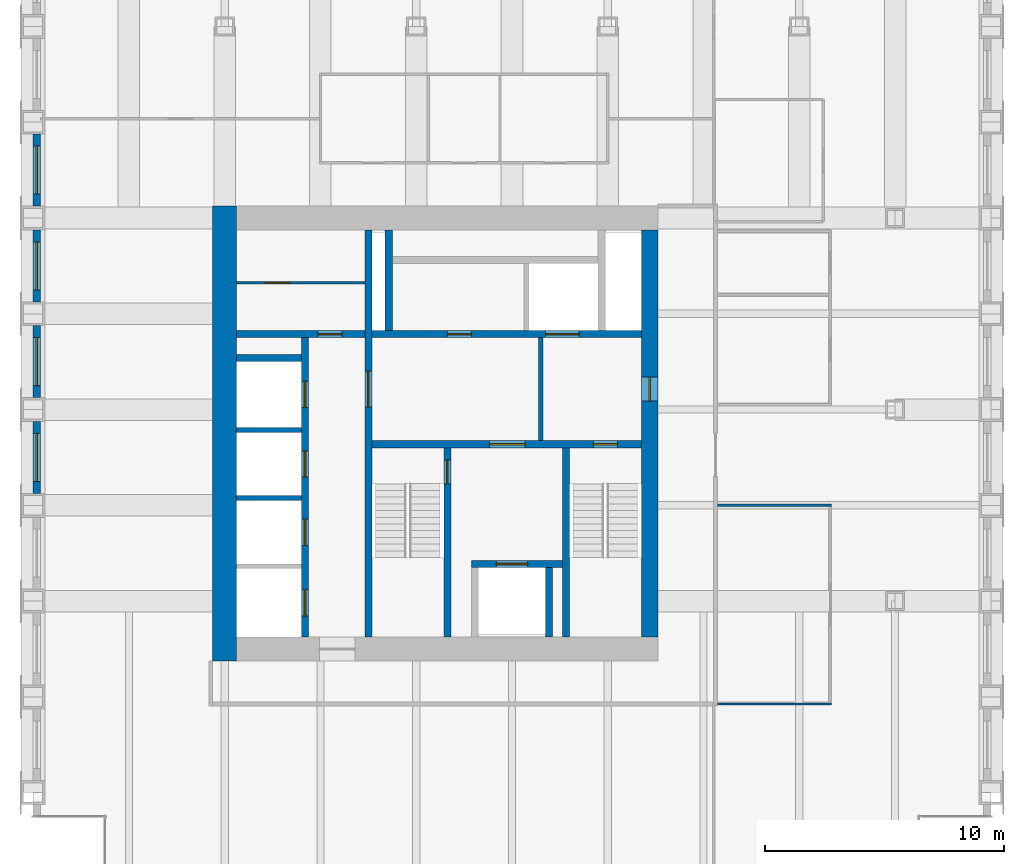
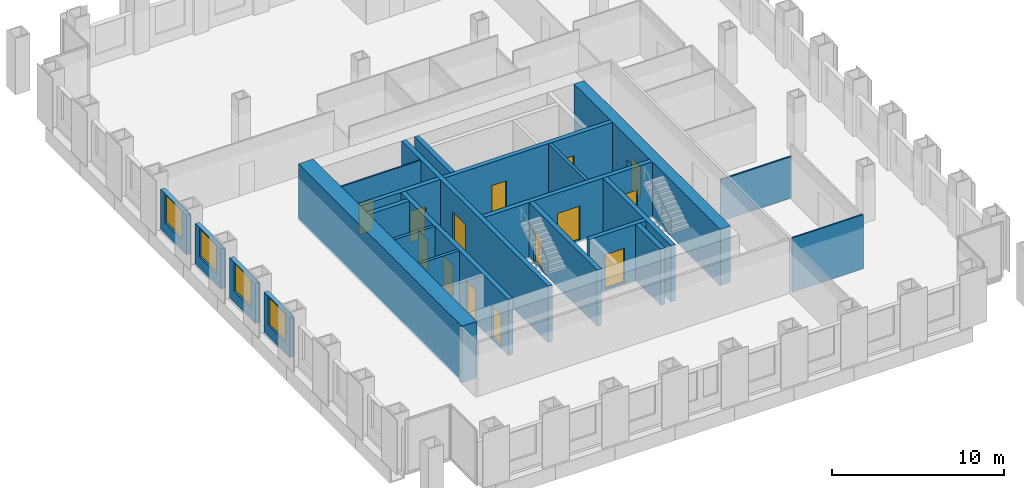
# One storey, part 9 of 13: 23 walls, 14 doors, 4 windows, 18 openings.
"""IFC4 building model written with IfcOpenShell, lengths in metres."""

from ifc_helpers import new_model, si_unit, direction, frame, frame_2d, origin, place, context, subcontext, project, spatial, rectangle, extrude, material, layer, layer_set, type_object, element, fill, save


model = new_model("IFC4")

# Units and contexts
model_context = context("Model", 3, precision=1e-05, world=origin(), true_north=direction((0.0, 1.0)))
body_context = subcontext(model_context, "Body", "Model", "MODEL_VIEW")
ifc_project = project(units=[si_unit("LENGTHUNIT", "METRE"), si_unit("AREAUNIT", "SQUARE_METRE"), si_unit("VOLUMEUNIT", "CUBIC_METRE"), si_unit("PLANEANGLEUNIT", "RADIAN"), si_unit("MASSUNIT", "GRAM", prefix="KILO")], contexts=[model_context])

# Site, building, storey
site_placement = place(None, origin())
site = spatial("IfcSite", under=ifc_project, at=site_placement, CompositionType="ELEMENT")
building_placement = place(site_placement, origin())
building = spatial("IfcBuilding", under=site, at=building_placement, Name="Rimbunsela Tower", CompositionType="ELEMENT")
storey_placement = place(building_placement, frame((0.0, 0.0, 214.199951171875)))
storey = spatial("IfcBuildingStorey", under=building, at=storey_placement, Name="L51", CompositionType="ELEMENT", Elevation=214.199951171875)

# Wall, opening, door
ifc_material_1 = material(Name="Concrete fc' 80 MPa", Category="concrete")
ifc_layer_1 = layer(ifc_material_1, 0.300048828125)
ifc_layer_set_1 = layer_set([ifc_layer_1], Name="Core internal wall 300")
wall_type_1 = type_object("IfcWallType", Name="Core internal wall 300", PredefinedType="SHEAR", material=ifc_layer_set_1)
wall_1_placement = place(storey_placement, frame((24.0, 18.5, -0.14990234375), z_axis=(0.0, 0.0, 1.0), x_axis=(0.0, 1.0, 0.0)))
wall_1 = element("IfcWall", 1, at=wall_1_placement, inside=storey, type_object=wall_type_1, Name="Core wall at stair A", PredefinedType="SHEAR", context=body_context, shape_type="SweptSolid", body=[
    extrude(rectangle(XDim=17.0, YDim=0.300048828125, at=frame_2d((8.5, 0.0))), origin(), (0.0, 0.0, 1.0), 4.0),
])
opening_1_placement = place(wall_1_placement, frame((9.60009765625, 0.0, 0.14990234375)))
opening_1 = element("IfcOpeningElement", 2, at=opening_1_placement, cuts=wall_1, Name="Opening D03", PredefinedType="OPENING", context=body_context, shape_type="SweptSolid", body=[
    extrude(rectangle(XDim=1.5, YDim=2.39990234375, at=frame_2d((0.75, 1.199951171875))), frame((0.0, 0.159912109375, 0.0), z_axis=(0.0, -1.0, 0.0), x_axis=(1.0, 0.0, 0.0)), (0.0, 0.0, 1.0), 0.320068359375),
])
ifc_material_2 = material(Name="Steel door, fire rated", Category="steel")
door_type_1 = type_object("IfcDoorType", Name="Core lobby door 1500", OperationType="DOUBLE_DOOR_DOUBLE_SWING", PredefinedType="DOOR", material=ifc_material_2)
door_1_placement = place(opening_1_placement, origin())
door_1 = element("IfcDoor", 3, at=door_1_placement, inside=storey, type_object=door_type_1, Name="West lobby door", OperationType="DOUBLE_DOOR_DOUBLE_SWING", OverallHeight=2.39990234375, OverallWidth=1.5, PredefinedType="DOOR", context=body_context, shape_type="SweptSolid", body=[
    extrude(rectangle(XDim=1.5, YDim=2.39990234375, at=frame_2d((0.75, 1.199951171875))), frame((0.0, 0.02490234375, 0.0), z_axis=(0.0, -1.0, 0.0), x_axis=(1.0, 0.0, 0.0)), (0.0, 0.0, 1.0), 0.050048828125),
])
fill(opening_1, door_1)

# Wall, openings, doors
wall_2_placement = place(storey_placement, frame((24.14990234375, 26.550048828125, -0.14990234375), z_axis=(0.0, 0.0, 1.0), x_axis=(1.0, 0.0, 0.0)))
wall_2 = element("IfcWall", 4, at=wall_2_placement, inside=storey, type_object=wall_type_1, Name="Core wall lobby south", PredefinedType="SHEAR", context=body_context, shape_type="SweptSolid", body=[
    extrude(rectangle(XDim=11.25, YDim=0.300048828125, at=frame_2d((5.625, 0.0))), origin(), (0.0, 0.0, 1.0), 4.0),
])
opening_2_placement = place(wall_2_placement, frame((9.25, 0.0, 0.14990234375)))
opening_2 = element("IfcOpeningElement", 5, at=opening_2_placement, cuts=wall_2, Name="Opening D01", PredefinedType="OPENING", context=body_context, shape_type="SweptSolid", body=[
    extrude(rectangle(XDim=1.0, YDim=2.199951171875, at=frame_2d((0.5, 1.10009765625))), frame((0.0, 0.159912109375, 0.0), z_axis=(0.0, -1.0, 0.0), x_axis=(1.0, 0.0, 0.0)), (0.0, 0.0, 1.0), 0.320068359375),
])
opening_3_placement = place(wall_2_placement, frame((4.89990234375, 0.0, 0.14990234375)))
opening_3 = element("IfcOpeningElement", 6, at=opening_3_placement, cuts=wall_2, Name="Opening D03", PredefinedType="OPENING", context=body_context, shape_type="SweptSolid", body=[
    extrude(rectangle(XDim=1.5, YDim=2.39990234375, at=frame_2d((0.75, 1.199951171875))), frame((0.0, 0.159912109375, 0.0), z_axis=(0.0, -1.0, 0.0), x_axis=(1.0, 0.0, 0.0)), (0.0, 0.0, 1.0), 0.320068359375),
])
door_2_placement = place(opening_3_placement, origin())
door_2 = element("IfcDoor", 7, at=door_2_placement, inside=storey, type_object=door_type_1, Name="Firefighting lobby door", OperationType="DOUBLE_DOOR_DOUBLE_SWING", OverallHeight=2.39990234375, OverallWidth=1.5, PredefinedType="DOOR", context=body_context, shape_type="SweptSolid", body=[
    extrude(rectangle(XDim=1.5, YDim=2.39990234375, at=frame_2d((0.75, 1.199951171875))), frame((0.0, 0.02490234375, 0.0), z_axis=(0.0, -1.0, 0.0), x_axis=(1.0, 0.0, 0.0)), (0.0, 0.0, 1.0), 0.050048828125),
])
fill(opening_3, door_2)
ifc_material_3 = material(Name="Steel door, fire rated", Category="steel")
door_type_2 = type_object("IfcDoorType", Name="Stair door 1000", OperationType="SINGLE_SWING_RIGHT", PredefinedType="DOOR", material=ifc_material_3)
door_3_placement = place(opening_2_placement, frame((1.0, 0.0, 0.0), z_axis=(0.0, 0.0, 1.0), x_axis=(-1.0, 0.0, 0.0)))
door_3 = element("IfcDoor", 8, at=door_3_placement, inside=storey, type_object=door_type_2, Name="Stair B door", OperationType="SINGLE_SWING_RIGHT", OverallHeight=2.199951171875, OverallWidth=1.0, PredefinedType="DOOR", context=body_context, shape_type="SweptSolid", body=[
    extrude(rectangle(XDim=1.0, YDim=2.199951171875, at=frame_2d((0.5, 1.10009765625))), frame((0.0, 0.02490234375, 0.0), z_axis=(0.0, -1.0, 0.0), x_axis=(1.0, 0.0, 0.0)), (0.0, 0.0, 1.0), 0.050048828125),
])
fill(opening_2, door_3)

# Wall, opening, door
wall_3_placement = place(storey_placement, frame((27.300048828125, 18.5, -0.14990234375), z_axis=(0.0, 0.0, 1.0), x_axis=(0.0, 1.0, 0.0)))
wall_3 = element("IfcWall", 9, at=wall_3_placement, inside=storey, type_object=wall_type_1, Name="Stair A enclosure", PredefinedType="SHEAR", context=body_context, shape_type="SweptSolid", body=[
    extrude(rectangle(XDim=7.89990234375, YDim=0.300048828125, at=frame_2d((3.949951171875, 0.0))), origin(), (0.0, 0.0, 1.0), 4.0),
])
opening_4_placement = place(wall_3_placement, frame((6.39990234375, 0.0, 0.14990234375)))
opening_4 = element("IfcOpeningElement", 10, at=opening_4_placement, cuts=wall_3, Name="Opening D01", PredefinedType="OPENING", context=body_context, shape_type="SweptSolid", body=[
    extrude(rectangle(XDim=1.0, YDim=2.199951171875, at=frame_2d((0.5, 1.10009765625))), frame((0.0, 0.159912109375, 0.0), z_axis=(0.0, -1.0, 0.0), x_axis=(1.0, 0.0, 0.0)), (0.0, 0.0, 1.0), 0.320068359375),
])
door_4_placement = place(opening_4_placement, origin())
door_4 = element("IfcDoor", 11, at=door_4_placement, inside=storey, type_object=door_type_2, Name="Stair A door", OperationType="SINGLE_SWING_RIGHT", OverallHeight=2.199951171875, OverallWidth=1.0, PredefinedType="DOOR", context=body_context, shape_type="SweptSolid", body=[
    extrude(rectangle(XDim=1.0, YDim=2.199951171875, at=frame_2d((0.5, 1.10009765625))), frame((0.0, 0.02490234375, 0.0), z_axis=(0.0, -1.0, 0.0), x_axis=(1.0, 0.0, 0.0)), (0.0, 0.0, 1.0), 0.050048828125),
])
fill(opening_4, door_4)

# Walls
wall_4_placement = place(storey_placement, frame((32.25, 18.5, -0.14990234375), z_axis=(0.0, 0.0, 1.0), x_axis=(0.0, 1.0, 0.0)))
element("IfcWall", 12, at=wall_4_placement, inside=storey, type_object=wall_type_1, Name="Stair B enclosure", PredefinedType="SHEAR", context=body_context, shape_type="SweptSolid", body=[
    extrude(rectangle(XDim=7.89990234375, YDim=0.300048828125, at=frame_2d((3.949951171875, 0.0))), origin(), (0.0, 0.0, 1.0), 4.0),
])
wall_5_placement = place(storey_placement, frame((31.550048828125, 18.5, -0.14990234375), z_axis=(0.0, 0.0, 1.0), x_axis=(0.0, 1.0, 0.0)))
element("IfcWall", 13, at=wall_5_placement, inside=storey, type_object=wall_type_1, Name="Firefighting lift shaft east", PredefinedType="SHEAR", context=body_context, shape_type="SweptSolid", body=[
    extrude(rectangle(XDim=2.89990234375, YDim=0.300048828125, at=frame_2d((1.449951171875, 0.0))), origin(), (0.0, 0.0, 1.0), 4.0),
])

# Wall, opening, door
wall_6_placement = place(storey_placement, frame((28.300048828125, 21.550048828125, -0.14990234375), z_axis=(0.0, 0.0, 1.0), x_axis=(1.0, 0.0, 0.0)))
wall_6 = element("IfcWall", 14, at=wall_6_placement, inside=storey, type_object=wall_type_1, Name="Firefighting lift shaft front", PredefinedType="SHEAR", context=body_context, shape_type="SweptSolid", body=[
    extrude(rectangle(XDim=3.800048828125, YDim=0.300048828125, at=frame_2d((1.89990234375, 0.0))), origin(), (0.0, 0.0, 1.0), 4.0),
])
opening_5_placement = place(wall_6_placement, frame((1.050048828125, 0.0, 0.14990234375)))
opening_5 = element("IfcOpeningElement", 15, at=opening_5_placement, cuts=wall_6, Name="Opening LD2", PredefinedType="OPENING", context=body_context, shape_type="SweptSolid", body=[
    extrude(rectangle(XDim=1.300048828125, YDim=2.39990234375, at=frame_2d((0.64990234375, 1.199951171875))), frame((0.0, 0.159912109375, 0.0), z_axis=(0.0, -1.0, 0.0), x_axis=(1.0, 0.0, 0.0)), (0.0, 0.0, 1.0), 0.320068359375),
])
ifc_material_4 = material(Name="Steel door, fire rated", Category="steel")
door_type_3 = type_object("IfcDoorType", Name="Lift landing door 1300", OperationType="DOUBLE_DOOR_SLIDING", PredefinedType="DOOR", material=ifc_material_4)
door_5_placement = place(opening_5_placement, origin())
door_5 = element("IfcDoor", 16, at=door_5_placement, inside=storey, type_object=door_type_3, Name="Lift landing door FL1", OperationType="DOUBLE_DOOR_SLIDING", OverallHeight=2.39990234375, OverallWidth=1.300048828125, PredefinedType="DOOR", context=body_context, shape_type="SweptSolid", body=[
    extrude(rectangle(XDim=1.300048828125, YDim=2.39990234375, at=frame_2d((0.64990234375, 1.199951171875))), frame((0.0, 0.02490234375, 0.0), z_axis=(0.0, -1.0, 0.0), x_axis=(1.0, 0.0, 0.0)), (0.0, 0.0, 1.0), 0.050048828125),
])
fill(opening_5, door_5)

# Wall, openings, doors
wall_7_placement = place(storey_placement, frame((24.14990234375, 31.14990234375, -0.14990234375), z_axis=(0.0, 0.0, 1.0), x_axis=(1.0, 0.0, 0.0)))
wall_7 = element("IfcWall", 17, at=wall_7_placement, inside=storey, type_object=wall_type_1, Name="Lift shaft front north", PredefinedType="SHEAR", context=body_context, shape_type="SweptSolid", body=[
    extrude(rectangle(XDim=11.25, YDim=0.300048828125, at=frame_2d((5.625, 0.0))), origin(), (0.0, 0.0, 1.0), 4.0),
])
opening_6_placement = place(wall_7_placement, frame((3.14990234375, 0.0, 0.14990234375)))
opening_6 = element("IfcOpeningElement", 18, at=opening_6_placement, cuts=wall_7, Name="Opening D19", PredefinedType="OPENING", context=body_context, shape_type="SweptSolid", body=[
    extrude(rectangle(XDim=1.0, YDim=2.199951171875, at=frame_2d((0.5, 1.10009765625))), frame((0.0, 0.159912109375, 0.0), z_axis=(0.0, -1.0, 0.0), x_axis=(1.0, 0.0, 0.0)), (0.0, 0.0, 1.0), 0.320068359375),
])
opening_7_placement = place(wall_7_placement, frame((7.25, 0.0, 0.14990234375)))
opening_7 = element("IfcOpeningElement", 19, at=opening_7_placement, cuts=wall_7, Name="Opening LD3", PredefinedType="OPENING", context=body_context, shape_type="SweptSolid", body=[
    extrude(rectangle(XDim=1.39990234375, YDim=2.39990234375, at=frame_2d((0.699951171875, 1.199951171875))), frame((0.0, 0.159912109375, 0.0), z_axis=(0.0, -1.0, 0.0), x_axis=(1.0, 0.0, 0.0)), (0.0, 0.0, 1.0), 0.320068359375),
])
ifc_material_5 = material(Name="Steel door, fire rated", Category="steel")
door_type_4 = type_object("IfcDoorType", Name="Lift landing door 1400", OperationType="DOUBLE_DOOR_SLIDING", PredefinedType="DOOR", material=ifc_material_5)
door_6_placement = place(opening_7_placement, origin())
door_6 = element("IfcDoor", 20, at=door_6_placement, inside=storey, type_object=door_type_4, Name="Lift landing door FL2", OperationType="DOUBLE_DOOR_SLIDING", OverallHeight=2.39990234375, OverallWidth=1.39990234375, PredefinedType="DOOR", context=body_context, shape_type="SweptSolid", body=[
    extrude(rectangle(XDim=1.39990234375, YDim=2.39990234375, at=frame_2d((0.699951171875, 1.199951171875))), frame((0.0, 0.02490234375, 0.0), z_axis=(0.0, -1.0, 0.0), x_axis=(1.0, 0.0, 0.0)), (0.0, 0.0, 1.0), 0.050048828125),
])
fill(opening_7, door_6)
ifc_material_6 = material(Name="Steel door, fire rated", Category="steel")
door_type_5 = type_object("IfcDoorType", Name="Service door 1000 fire rated", OperationType="SINGLE_SWING_LEFT", PredefinedType="DOOR", material=ifc_material_6)
door_7_placement = place(opening_6_placement, origin())
door_7 = element("IfcDoor", 21, at=door_7_placement, inside=storey, type_object=door_type_5, Name="Equipment store door", OperationType="SINGLE_SWING_LEFT", OverallHeight=2.199951171875, OverallWidth=1.0, PredefinedType="DOOR", context=body_context, shape_type="SweptSolid", body=[
    extrude(rectangle(XDim=1.0, YDim=2.199951171875, at=frame_2d((0.5, 1.10009765625))), frame((0.0, 0.02490234375, 0.0), z_axis=(0.0, -1.0, 0.0), x_axis=(1.0, 0.0, 0.0)), (0.0, 0.0, 1.0), 0.050048828125),
])
fill(opening_6, door_7)

wall_8_placement = place(storey_placement, frame((21.35009765625, 18.5, -0.14990234375), z_axis=(0.0, 0.0, 1.0), x_axis=(0.0, 1.0, 0.0)))
wall_8 = element("IfcWall", 22, at=wall_8_placement, inside=storey, type_object=wall_type_1, Name="Lift shaft front west", PredefinedType="SHEAR", context=body_context, shape_type="SweptSolid", body=[
    extrude(rectangle(XDim=12.5, YDim=0.300048828125, at=frame_2d((6.25, 0.0))), origin(), (0.0, 0.0, 1.0), 4.0),
])
opening_8_placement = place(wall_8_placement, frame((0.875, 0.0, 0.14990234375)))
opening_8 = element("IfcOpeningElement", 23, at=opening_8_placement, cuts=wall_8, Name="Opening LD1", PredefinedType="OPENING", context=body_context, shape_type="SweptSolid", body=[
    extrude(rectangle(XDim=1.10009765625, YDim=2.199951171875, at=frame_2d((0.550048828125, 1.10009765625))), frame((0.0, 0.159912109375, 0.0), z_axis=(0.0, -1.0, 0.0), x_axis=(1.0, 0.0, 0.0)), (0.0, 0.0, 1.0), 0.320068359375),
])
opening_9_placement = place(wall_8_placement, frame((3.824951171875, 0.0, 0.14990234375)))
opening_9 = element("IfcOpeningElement", 24, at=opening_9_placement, cuts=wall_8, Name="Opening LD1", PredefinedType="OPENING", context=body_context, shape_type="SweptSolid", body=[
    extrude(rectangle(XDim=1.10009765625, YDim=2.199951171875, at=frame_2d((0.550048828125, 1.10009765625))), frame((0.0, 0.159912109375, 0.0), z_axis=(0.0, -1.0, 0.0), x_axis=(1.0, 0.0, 0.0)), (0.0, 0.0, 1.0), 0.320068359375),
])
opening_10_placement = place(wall_8_placement, frame((6.675048828125, 0.0, 0.14990234375)))
opening_10 = element("IfcOpeningElement", 25, at=opening_10_placement, cuts=wall_8, Name="Opening LD1", PredefinedType="OPENING", context=body_context, shape_type="SweptSolid", body=[
    extrude(rectangle(XDim=1.10009765625, YDim=2.199951171875, at=frame_2d((0.550048828125, 1.10009765625))), frame((0.0, 0.159912109375, 0.0), z_axis=(0.0, -1.0, 0.0), x_axis=(1.0, 0.0, 0.0)), (0.0, 0.0, 1.0), 0.320068359375),
])
opening_11_placement = place(wall_8_placement, frame((9.574951171875, 0.0, 0.14990234375)))
opening_11 = element("IfcOpeningElement", 26, at=opening_11_placement, cuts=wall_8, Name="Opening LD1", PredefinedType="OPENING", context=body_context, shape_type="SweptSolid", body=[
    extrude(rectangle(XDim=1.10009765625, YDim=2.199951171875, at=frame_2d((0.550048828125, 1.10009765625))), frame((0.0, 0.159912109375, 0.0), z_axis=(0.0, -1.0, 0.0), x_axis=(1.0, 0.0, 0.0)), (0.0, 0.0, 1.0), 0.320068359375),
])
ifc_material_7 = material(Name="Steel door, fire rated", Category="steel")
door_type_6 = type_object("IfcDoorType", Name="Lift landing door 1100", OperationType="DOUBLE_DOOR_SLIDING", PredefinedType="DOOR", material=ifc_material_7)
door_8_placement = place(opening_8_placement, origin())
door_8 = element("IfcDoor", 27, at=door_8_placement, inside=storey, type_object=door_type_6, Name="Lift landing door TL1", OperationType="DOUBLE_DOOR_SLIDING", OverallHeight=2.199951171875, OverallWidth=1.10009765625, PredefinedType="DOOR", context=body_context, shape_type="SweptSolid", body=[
    extrude(rectangle(XDim=1.10009765625, YDim=2.199951171875, at=frame_2d((0.550048828125, 1.10009765625))), frame((0.0, 0.02490234375, 0.0), z_axis=(0.0, -1.0, 0.0), x_axis=(1.0, 0.0, 0.0)), (0.0, 0.0, 1.0), 0.050048828125),
])
fill(opening_8, door_8)
door_9_placement = place(opening_9_placement, origin())
door_9 = element("IfcDoor", 28, at=door_9_placement, inside=storey, type_object=door_type_6, Name="Lift landing door TL2", OperationType="DOUBLE_DOOR_SLIDING", OverallHeight=2.199951171875, OverallWidth=1.10009765625, PredefinedType="DOOR", context=body_context, shape_type="SweptSolid", body=[
    extrude(rectangle(XDim=1.10009765625, YDim=2.199951171875, at=frame_2d((0.550048828125, 1.10009765625))), frame((0.0, 0.02490234375, 0.0), z_axis=(0.0, -1.0, 0.0), x_axis=(1.0, 0.0, 0.0)), (0.0, 0.0, 1.0), 0.050048828125),
])
fill(opening_9, door_9)
door_10_placement = place(opening_10_placement, origin())
door_10 = element("IfcDoor", 29, at=door_10_placement, inside=storey, type_object=door_type_6, Name="Lift landing door TL3", OperationType="DOUBLE_DOOR_SLIDING", OverallHeight=2.199951171875, OverallWidth=1.10009765625, PredefinedType="DOOR", context=body_context, shape_type="SweptSolid", body=[
    extrude(rectangle(XDim=1.10009765625, YDim=2.199951171875, at=frame_2d((0.550048828125, 1.10009765625))), frame((0.0, 0.02490234375, 0.0), z_axis=(0.0, -1.0, 0.0), x_axis=(1.0, 0.0, 0.0)), (0.0, 0.0, 1.0), 0.050048828125),
])
fill(opening_10, door_10)
door_11_placement = place(opening_11_placement, origin())
door_11 = element("IfcDoor", 30, at=door_11_placement, inside=storey, type_object=door_type_6, Name="Lift landing door TL4", OperationType="DOUBLE_DOOR_SLIDING", OverallHeight=2.199951171875, OverallWidth=1.10009765625, PredefinedType="DOOR", context=body_context, shape_type="SweptSolid", body=[
    extrude(rectangle(XDim=1.10009765625, YDim=2.199951171875, at=frame_2d((0.550048828125, 1.10009765625))), frame((0.0, 0.02490234375, 0.0), z_axis=(0.0, -1.0, 0.0), x_axis=(1.0, 0.0, 0.0)), (0.0, 0.0, 1.0), 0.050048828125),
])
fill(opening_11, door_11)

# Wall, opening, door
wall_9_placement = place(storey_placement, frame((18.5, 31.14990234375, -0.14990234375), z_axis=(0.0, 0.0, 1.0), x_axis=(1.0, 0.0, 0.0)))
wall_9 = element("IfcWall", 31, at=wall_9_placement, inside=storey, type_object=wall_type_1, Name="Store wall", PredefinedType="SHEAR", context=body_context, shape_type="SweptSolid", body=[
    extrude(rectangle(XDim=5.35009765625, YDim=0.300048828125, at=frame_2d((2.675048828125, 0.0))), origin(), (0.0, 0.0, 1.0), 4.0),
])
opening_12_placement = place(wall_9_placement, frame((3.39990234375, 0.0, 0.14990234375)))
opening_12 = element("IfcOpeningElement", 32, at=opening_12_placement, cuts=wall_9, Name="Opening D19", PredefinedType="OPENING", context=body_context, shape_type="SweptSolid", body=[
    extrude(rectangle(XDim=1.0, YDim=2.199951171875, at=frame_2d((0.5, 1.10009765625))), frame((0.0, 0.159912109375, 0.0), z_axis=(0.0, -1.0, 0.0), x_axis=(1.0, 0.0, 0.0)), (0.0, 0.0, 1.0), 0.320068359375),
])
door_12_placement = place(opening_12_placement, origin())
door_12 = element("IfcDoor", 33, at=door_12_placement, inside=storey, type_object=door_type_5, Name="Facilities store door", OperationType="SINGLE_SWING_LEFT", OverallHeight=2.199951171875, OverallWidth=1.0, PredefinedType="DOOR", context=body_context, shape_type="SweptSolid", body=[
    extrude(rectangle(XDim=1.0, YDim=2.199951171875, at=frame_2d((0.5, 1.10009765625))), frame((0.0, 0.02490234375, 0.0), z_axis=(0.0, -1.0, 0.0), x_axis=(1.0, 0.0, 0.0)), (0.0, 0.0, 1.0), 0.050048828125),
])
fill(opening_12, door_12)

# Walls
wall_10_placement = place(storey_placement, frame((18.5, 30.14990234375, -0.14990234375), z_axis=(0.0, 0.0, 1.0), x_axis=(1.0, 0.0, 0.0)))
element("IfcWall", 34, at=wall_10_placement, inside=storey, type_object=wall_type_1, Name="Lift shaft rear west", PredefinedType="SHEAR", context=body_context, shape_type="SweptSolid", body=[
    extrude(rectangle(XDim=2.699951171875, YDim=0.300048828125, at=frame_2d((1.35009765625, 0.0))), origin(), (0.0, 0.0, 1.0), 4.0),
])
wall_11_placement = place(storey_placement, frame((24.85009765625, 31.300048828125, -0.14990234375), z_axis=(0.0, 0.0, 1.0), x_axis=(0.0, 1.0, 0.0)))
element("IfcWall", 35, at=wall_11_placement, inside=storey, type_object=wall_type_1, Name="Riser wall", PredefinedType="SHEAR", context=body_context, shape_type="SweptSolid", body=[
    extrude(rectangle(XDim=4.199951171875, YDim=0.300048828125, at=frame_2d((2.10009765625, 0.0))), origin(), (0.0, 0.0, 1.0), 4.0),
])

# Wall, opening, door
ifc_material_8 = material(Name="Concrete blockwork", Category="masonry")
ifc_layer_2 = layer(ifc_material_8, 0.10009765625)
ifc_layer_set_2 = layer_set([ifc_layer_2], Name="Core room partition 100")
wall_type_2 = type_object("IfcWallType", Name="Core room partition 100", PredefinedType="PARTITIONING", material=ifc_layer_set_2)
wall_12_placement = place(storey_placement, frame((18.5, 33.300048828125, 0.0), z_axis=(0.0, 0.0, 1.0), x_axis=(1.0, 0.0, 0.0)))
wall_12 = element("IfcWall", 36, at=wall_12_placement, inside=storey, type_object=wall_type_2, Name="Tenant store wall", PredefinedType="PARTITIONING", context=body_context, shape_type="SweptSolid", body=[
    extrude(rectangle(XDim=5.35009765625, YDim=0.10009765625, at=frame_2d((2.675048828125, 0.0))), origin(), (0.0, 0.0, 1.0), 3.85009765625),
])
opening_13_placement = place(wall_12_placement, frame((1.199951171875, 0.0, 0.0)))
opening_13 = element("IfcOpeningElement", 37, at=opening_13_placement, cuts=wall_12, Name="Opening D19", PredefinedType="OPENING", context=body_context, shape_type="SweptSolid", body=[
    extrude(rectangle(XDim=1.0, YDim=2.199951171875, at=frame_2d((0.5, 1.10009765625))), frame((0.0, 0.06005859375, 0.0), z_axis=(0.0, -1.0, 0.0), x_axis=(1.0, 0.0, 0.0)), (0.0, 0.0, 1.0), 0.1201171875),
])
door_13_placement = place(opening_13_placement, origin())
door_13 = element("IfcDoor", 38, at=door_13_placement, inside=storey, type_object=door_type_5, Name="Tenant store door", OperationType="SINGLE_SWING_LEFT", OverallHeight=2.199951171875, OverallWidth=1.0, PredefinedType="DOOR", context=body_context, shape_type="SweptSolid", body=[
    extrude(rectangle(XDim=1.0, YDim=2.199951171875, at=frame_2d((0.5, 1.10009765625))), frame((0.0, 0.02490234375, 0.0), z_axis=(0.0, -1.0, 0.0), x_axis=(1.0, 0.0, 0.0)), (0.0, 0.0, 1.0), 0.050048828125),
])
fill(opening_13, door_13)

# Wall
ifc_material_9 = material(Name="Concrete fc' 80 MPa", Category="concrete")
ifc_layer_3 = layer(ifc_material_9, 1.0)
ifc_layer_set_3 = layer_set([ifc_layer_3], Name="Core wall 1000")
wall_type_3 = type_object("IfcWallType", Name="Core wall 1000", PredefinedType="SHEAR", material=ifc_layer_set_3)
wall_13_placement = place(storey_placement, frame((18.0, 17.5, -0.14990234375), z_axis=(0.0, 0.0, 1.0), x_axis=(0.0, 1.0, 0.0)))
element("IfcWall", 39, at=wall_13_placement, inside=storey, type_object=wall_type_3, Name="Core wall west", PredefinedType="SHEAR", context=body_context, shape_type="SweptSolid", body=[
    extrude(rectangle(XDim=19.0, YDim=1.0, at=frame_2d((9.5, 0.0))), origin(), (0.0, 0.0, 1.0), 4.0),
])

# Wall, opening, door
ifc_material_10 = material(Name="Concrete fc' 80 MPa", Category="concrete")
ifc_layer_4 = layer(ifc_material_10, 0.699951171875)
ifc_layer_set_4 = layer_set([ifc_layer_4], Name="Core wall 700 east")
wall_type_4 = type_object("IfcWallType", Name="Core wall 700 east", PredefinedType="SHEAR", material=ifc_layer_set_4)
wall_14_placement = place(storey_placement, frame((35.75, 18.5, -0.14990234375), z_axis=(0.0, 0.0, 1.0), x_axis=(0.0, 1.0, 0.0)))
wall_14 = element("IfcWall", 40, at=wall_14_placement, inside=storey, type_object=wall_type_4, Name="Core wall east", PredefinedType="SHEAR", context=body_context, shape_type="SweptSolid", body=[
    extrude(rectangle(XDim=17.0, YDim=0.699951171875, at=frame_2d((8.5, 0.0))), origin(), (0.0, 0.0, 1.0), 4.0),
])
opening_14_placement = place(wall_14_placement, frame((9.85009765625, 0.0, 0.14990234375)))
opening_14 = element("IfcOpeningElement", 41, at=opening_14_placement, cuts=wall_14, Name="Opening D01", PredefinedType="OPENING", context=body_context, shape_type="SweptSolid", body=[
    extrude(rectangle(XDim=1.0, YDim=2.199951171875, at=frame_2d((0.5, 1.10009765625))), frame((0.0, 0.35986328125, 0.0), z_axis=(0.0, -1.0, 0.0), x_axis=(1.0, 0.0, 0.0)), (0.0, 0.0, 1.0), 0.719970703125),
])
door_14_placement = place(opening_14_placement, origin())
door_14 = element("IfcDoor", 42, at=door_14_placement, inside=storey, type_object=door_type_2, Name="Firefighting lobby 2 door", OperationType="SINGLE_SWING_RIGHT", OverallHeight=2.199951171875, OverallWidth=1.0, PredefinedType="DOOR", context=body_context, shape_type="SweptSolid", body=[
    extrude(rectangle(XDim=1.0, YDim=2.199951171875, at=frame_2d((0.5, 1.10009765625))), frame((0.0, 0.02490234375, 0.0), z_axis=(0.0, -1.0, 0.0), x_axis=(1.0, 0.0, 0.0)), (0.0, 0.0, 1.0), 0.050048828125),
])
fill(opening_14, door_14)

# Walls
ifc_material_11 = material(Name="Concrete blockwork", Category="masonry")
ifc_layer_5 = layer(ifc_material_11, 0.199951171875)
ifc_layer_set_5 = layer_set([ifc_layer_5], Name="Lift shaft wall 200")
wall_type_5 = type_object("IfcWallType", Name="Lift shaft wall 200", PredefinedType="SOLIDWALL", material=ifc_layer_set_5)
for number, where, z_axis, x_axis, name in (
    (43, (18.5, 24.300048828125, -0.14990234375), (0.0, 0.0, 1.0), (1.0, 0.0, 0.0), "Lift shaft separation"),
    (44, (18.5, 27.14990234375, -0.14990234375), (0.0, 0.0, 1.0), (1.0, 0.0, 0.0), "Lift shaft separation"),
):
    element("IfcWall", number, at=place(storey_placement, frame(where, z_axis=z_axis, x_axis=x_axis)), inside=storey, type_object=wall_type_5, Name=name, PredefinedType="SOLIDWALL", context=body_context, shape_type="SweptSolid", body=[
        extrude(rectangle(XDim=2.699951171875, YDim=0.199951171875, at=frame_2d((1.35009765625, 0.0))), origin(), (0.0, 0.0, 1.0), 4.0),
    ])
wall_15_placement = place(storey_placement, frame((31.199951171875, 26.699951171875, 0.0), z_axis=(0.0, 0.0, 1.0), x_axis=(0.0, 1.0, 0.0)))
element("IfcWall", 45, at=wall_15_placement, inside=storey, type_object=wall_type_5, Name="Firefighting lobby 2 wall", PredefinedType="SOLIDWALL", context=body_context, shape_type="SweptSolid", body=[
    extrude(rectangle(XDim=4.300048828125, YDim=0.199951171875, at=frame_2d((2.14990234375, 0.0))), origin(), (0.0, 0.0, 1.0), 3.85009765625),
])
ifc_material_12 = material(Name="Gypsum board on steel studs", Category="steel")
ifc_layer_6 = layer(ifc_material_12, 0.10009765625)
ifc_layer_set_6 = layer_set([ifc_layer_6], Name="Office partition 100")
wall_type_6 = type_object("IfcWallType", Name="Office partition 100", PredefinedType="PARTITIONING", material=ifc_layer_set_6)
wall_16_placement = place(storey_placement, frame((38.574951171875, 15.699951171875, 0.0), z_axis=(0.0, 0.0, 1.0), x_axis=(1.0, 0.0, 0.0)))
element("IfcWall", 46, at=wall_16_placement, inside=storey, type_object=wall_type_6, Name="Office partition", PredefinedType="PARTITIONING", context=body_context, shape_type="SweptSolid", body=[
    extrude(rectangle(XDim=4.775146484375, YDim=0.10009765625, at=frame_2d((2.3876953125, 0.0))), origin(), (0.0, 0.0, 1.0), 3.85009765625),
])
wall_17_placement = place(storey_placement, frame((38.574951171875, 24.0, 0.0), z_axis=(0.0, 0.0, 1.0), x_axis=(1.0, 0.0, 0.0)))
element("IfcWall", 47, at=wall_17_placement, inside=storey, type_object=wall_type_6, Name="Office partition", PredefinedType="PARTITIONING", context=body_context, shape_type="SweptSolid", body=[
    extrude(rectangle(XDim=4.775146484375, YDim=0.10009765625, at=frame_2d((2.3876953125, 0.0))), origin(), (0.0, 0.0, 1.0), 2.949951171875),
])

# Wall, opening, window
ifc_material_13 = material(Name="Precast concrete fc' 35 MPa", Category="concrete")
ifc_layer_7 = layer(ifc_material_13, 0.300048828125)
ifc_layer_set_7 = layer_set([ifc_layer_7], Name="Precast concrete fc' 35 MPa")
wall_type_7 = type_object("IfcWallType", Name="Precast facade panel 300", PredefinedType="ELEMENTEDWALL", material=ifc_layer_set_7)
wall_18_placement = place(storey_placement, frame((10.14990234375, 27.5, 0.0), z_axis=(0.0, 0.0, 1.0), x_axis=(0.0, -1.0, 0.0)))
wall_18 = element("IfcWall", 48, at=wall_18_placement, inside=storey, type_object=wall_type_7, Name="Facade panel W L51", PredefinedType="ELEMENTEDWALL", context=body_context, shape_type="SweptSolid", body=[
    extrude(rectangle(XDim=3.0, YDim=0.300048828125, at=frame_2d((1.5, 0.0))), origin(), (0.0, 0.0, 1.0), 2.85009765625),
])
opening_15_placement = place(wall_18_placement, frame((0.5, 0.0, 0.800048828125)))
opening_15 = element("IfcOpeningElement", 49, at=opening_15_placement, cuts=wall_18, Name="Opening W1", PredefinedType="OPENING", context=body_context, shape_type="SweptSolid", body=[
    extrude(rectangle(XDim=2.0, YDim=2.0, at=frame_2d((1.0, 1.0))), frame((0.0, 0.159912109375, 0.0), z_axis=(0.0, -1.0, 0.0), x_axis=(1.0, 0.0, 0.0)), (0.0, 0.0, 1.0), 0.320068359375),
])
ifc_material_14 = material(Name="Clear glass in aluminium frame", Category="aluminium")
window_type = type_object("IfcWindowType", Name="Window W1 2000x2000", PartitioningType="DOUBLE_PANEL_VERTICAL", PredefinedType="WINDOW", material=ifc_material_14)
window_1_placement = place(opening_15_placement, origin())
window_1 = element("IfcWindow", 50, at=window_1_placement, inside=storey, type_object=window_type, Name="Window L51", OverallHeight=2.0, OverallWidth=2.0, PartitioningType="SINGLE_PANEL", PredefinedType="WINDOW", context=body_context, shape_type="SweptSolid", body=[
    extrude(rectangle(XDim=2.0, YDim=2.0, at=frame_2d((1.0, 1.0))), frame((0.0, 0.030029296875, 0.0), z_axis=(0.0, -1.0, 0.0), x_axis=(1.0, 0.0, 0.0)), (0.0, 0.0, 1.0), 0.06005859375),
])
fill(opening_15, window_1)

wall_19_placement = place(storey_placement, frame((10.14990234375, 31.5, 0.0), z_axis=(0.0, 0.0, 1.0), x_axis=(0.0, -1.0, 0.0)))
wall_19 = element("IfcWall", 51, at=wall_19_placement, inside=storey, type_object=wall_type_7, Name="Facade panel W L51", PredefinedType="ELEMENTEDWALL", context=body_context, shape_type="SweptSolid", body=[
    extrude(rectangle(XDim=3.0, YDim=0.300048828125, at=frame_2d((1.5, 0.0))), origin(), (0.0, 0.0, 1.0), 2.85009765625),
])
opening_16_placement = place(wall_19_placement, frame((0.5, 0.0, 0.800048828125)))
opening_16 = element("IfcOpeningElement", 52, at=opening_16_placement, cuts=wall_19, Name="Opening W1", PredefinedType="OPENING", context=body_context, shape_type="SweptSolid", body=[
    extrude(rectangle(XDim=2.0, YDim=2.0, at=frame_2d((1.0, 1.0))), frame((0.0, 0.159912109375, 0.0), z_axis=(0.0, -1.0, 0.0), x_axis=(1.0, 0.0, 0.0)), (0.0, 0.0, 1.0), 0.320068359375),
])
window_2_placement = place(opening_16_placement, origin())
window_2 = element("IfcWindow", 53, at=window_2_placement, inside=storey, type_object=window_type, Name="Window L51", OverallHeight=2.0, OverallWidth=2.0, PartitioningType="SINGLE_PANEL", PredefinedType="WINDOW", context=body_context, shape_type="SweptSolid", body=[
    extrude(rectangle(XDim=2.0, YDim=2.0, at=frame_2d((1.0, 1.0))), frame((0.0, 0.030029296875, 0.0), z_axis=(0.0, -1.0, 0.0), x_axis=(1.0, 0.0, 0.0)), (0.0, 0.0, 1.0), 0.06005859375),
])
fill(opening_16, window_2)

wall_20_placement = place(storey_placement, frame((10.14990234375, 35.5, 0.0), z_axis=(0.0, 0.0, 1.0), x_axis=(0.0, -1.0, 0.0)))
wall_20 = element("IfcWall", 54, at=wall_20_placement, inside=storey, type_object=wall_type_7, Name="Facade panel W L51", PredefinedType="ELEMENTEDWALL", context=body_context, shape_type="SweptSolid", body=[
    extrude(rectangle(XDim=3.0, YDim=0.300048828125, at=frame_2d((1.5, 0.0))), origin(), (0.0, 0.0, 1.0), 2.85009765625),
])
opening_17_placement = place(wall_20_placement, frame((0.5, 0.0, 0.800048828125)))
opening_17 = element("IfcOpeningElement", 55, at=opening_17_placement, cuts=wall_20, Name="Opening W1", PredefinedType="OPENING", context=body_context, shape_type="SweptSolid", body=[
    extrude(rectangle(XDim=2.0, YDim=2.0, at=frame_2d((1.0, 1.0))), frame((0.0, 0.159912109375, 0.0), z_axis=(0.0, -1.0, 0.0), x_axis=(1.0, 0.0, 0.0)), (0.0, 0.0, 1.0), 0.320068359375),
])
window_3_placement = place(opening_17_placement, origin())
window_3 = element("IfcWindow", 56, at=window_3_placement, inside=storey, type_object=window_type, Name="Window L51", OverallHeight=2.0, OverallWidth=2.0, PartitioningType="SINGLE_PANEL", PredefinedType="WINDOW", context=body_context, shape_type="SweptSolid", body=[
    extrude(rectangle(XDim=2.0, YDim=2.0, at=frame_2d((1.0, 1.0))), frame((0.0, 0.030029296875, 0.0), z_axis=(0.0, -1.0, 0.0), x_axis=(1.0, 0.0, 0.0)), (0.0, 0.0, 1.0), 0.06005859375),
])
fill(opening_17, window_3)

wall_21_placement = place(storey_placement, frame((10.14990234375, 39.5, 0.0), z_axis=(0.0, 0.0, 1.0), x_axis=(0.0, -1.0, 0.0)))
wall_21 = element("IfcWall", 57, at=wall_21_placement, inside=storey, type_object=wall_type_7, Name="Facade panel W L51", PredefinedType="ELEMENTEDWALL", context=body_context, shape_type="SweptSolid", body=[
    extrude(rectangle(XDim=3.0, YDim=0.300048828125, at=frame_2d((1.5, 0.0))), origin(), (0.0, 0.0, 1.0), 2.85009765625),
])
opening_18_placement = place(wall_21_placement, frame((0.5, 0.0, 0.800048828125)))
opening_18 = element("IfcOpeningElement", 58, at=opening_18_placement, cuts=wall_21, Name="Opening W1", PredefinedType="OPENING", context=body_context, shape_type="SweptSolid", body=[
    extrude(rectangle(XDim=2.0, YDim=2.0, at=frame_2d((1.0, 1.0))), frame((0.0, 0.159912109375, 0.0), z_axis=(0.0, -1.0, 0.0), x_axis=(1.0, 0.0, 0.0)), (0.0, 0.0, 1.0), 0.320068359375),
])
window_4_placement = place(opening_18_placement, origin())
window_4 = element("IfcWindow", 59, at=window_4_placement, inside=storey, type_object=window_type, Name="Window L51", OverallHeight=2.0, OverallWidth=2.0, PartitioningType="SINGLE_PANEL", PredefinedType="WINDOW", context=body_context, shape_type="SweptSolid", body=[
    extrude(rectangle(XDim=2.0, YDim=2.0, at=frame_2d((1.0, 1.0))), frame((0.0, 0.030029296875, 0.0), z_axis=(0.0, -1.0, 0.0), x_axis=(1.0, 0.0, 0.0)), (0.0, 0.0, 1.0), 0.06005859375),
])
fill(opening_18, window_4)

save(model, "model.ifc")
